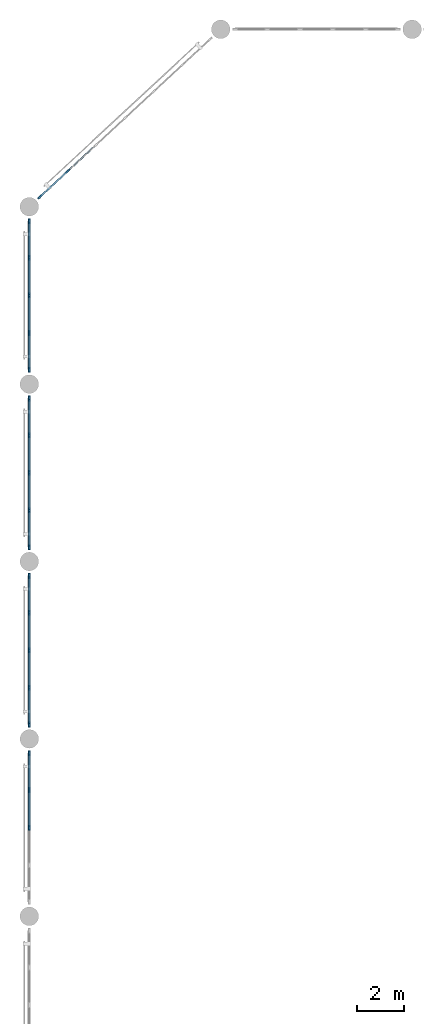
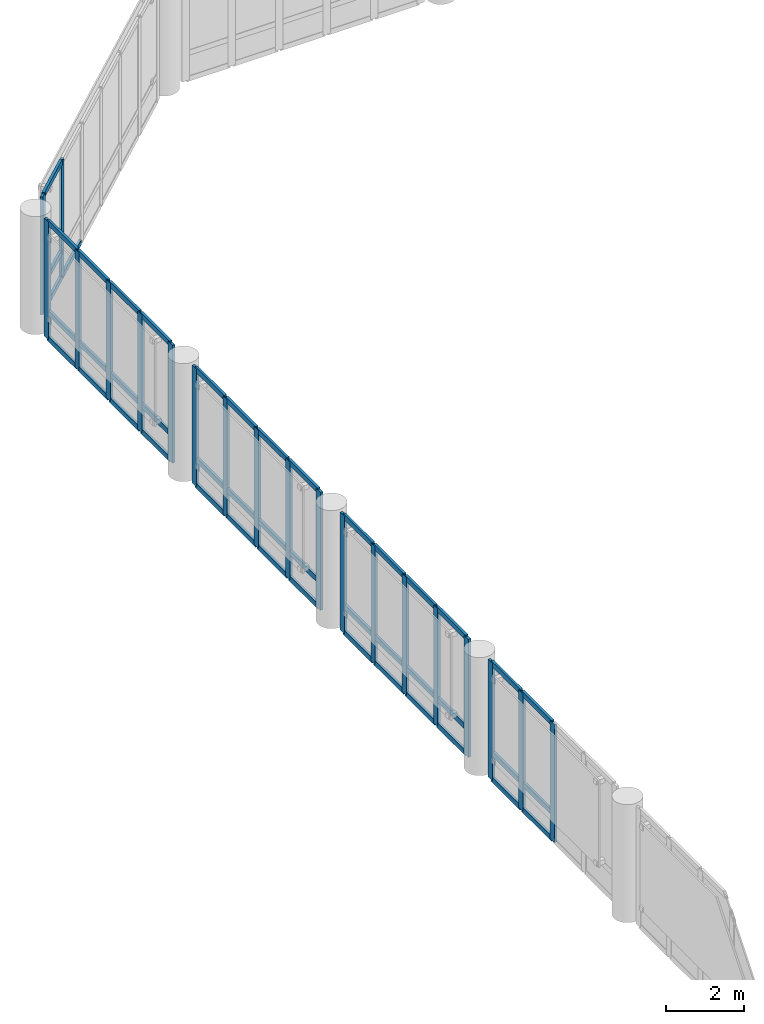
# One storey, part 15 of 49: 66 members, 5 elements without a shape of their own.
"""IFC4 building model written with IfcOpenShell, lengths in metres."""

import ifcopenshell
import ifcopenshell.guid

model = None  # the IFC model being written
_history = None  # IfcOwnerHistory: only IFC2X3 demands one
_inside = {}  # id of a spatial element -> (the spatial element, [elements in it])
_under = {}  # id of a project, library or spatial element -> (it, [spatial elements below it])
_declared = {}  # id of a project -> (the project, [libraries it declares])
_typed = {}  # id of a type object -> (the type object, [elements of that type])
_made_of = {}  # id of a material, layer set ... -> (it, [elements and type objects made of it])


def new_model(schema):
    """Start an empty IFC model of exactly this schema.

    Asked for "IFC4X3", IfcOpenShell would pick the latest addendum, in which some entities
    have other attributes; the version numbers below select the first issue.
    IFC2X3 requires an IfcOwnerHistory on every rooted entity: one is made here for all.
    """
    global model, _history
    if schema == "IFC4X3":
        model = ifcopenshell.file(schema_version=(4, 3, 0, 0))
    else:
        model = ifcopenshell.file(schema=schema)
    _inside.clear()
    _under.clear()
    _declared.clear()
    _typed.clear()
    _made_of.clear()
    _history = None
    if model.schema == "IFC2X3":
        org = make("IfcOrganization", Name="unknown")
        user = make(
            "IfcPersonAndOrganization",
            ThePerson=make("IfcPerson", FamilyName="unknown"),
            TheOrganization=org,
        )
        app = make(
            "IfcApplication",
            ApplicationDeveloper=org,
            Version="unknown",
            ApplicationFullName="unknown",
            ApplicationIdentifier="unknown",
        )
        _history = make(
            "IfcOwnerHistory",
            OwningUser=user,
            OwningApplication=app,
            ChangeAction="ADDED",
            CreationDate=0,
        )
    return model


def make(cls, **values):
    """One entity of the class cls with the attributes given. An attribute that is None is left unset."""
    return model.create_entity(
        cls, **{name: value for name, value in values.items() if value is not None}
    )


def rooted(cls, **values):
    """An entity with a GlobalId (a new one), such as an element, a storey or a relation."""
    return make(cls, GlobalId=ifcopenshell.guid.new(), OwnerHistory=_history, **values)


def si_unit(unit_type, name, prefix=None):
    """IfcSIUnit, for example si_unit("LENGTHUNIT", "METRE", prefix="MILLI")."""
    return make("IfcSIUnit", UnitType=unit_type, Prefix=prefix, Name=name)


def assignment(units):
    """IfcUnitAssignment: the units of a project."""
    return None if units is None else make("IfcUnitAssignment", Units=units)


def point(xyz):
    """IfcCartesianPoint."""
    return None if xyz is None else make("IfcCartesianPoint", Coordinates=xyz)


def direction(xyz):
    """IfcDirection."""
    return None if xyz is None else make("IfcDirection", DirectionRatios=xyz)


def frame(location, z_axis=None, x_axis=None):
    """IfcAxis2Placement3D, a coordinate frame: its origin and axes. An axis left out is left unset."""
    return make(
        "IfcAxis2Placement3D",
        Location=point(location),
        Axis=direction(z_axis),
        RefDirection=direction(x_axis),
    )


def frame_2d(location, x_axis=None):
    """IfcAxis2Placement2D, a coordinate frame in the plane: its origin and x axis."""
    return make(
        "IfcAxis2Placement2D", Location=point(location), RefDirection=direction(x_axis)
    )


def origin():
    """The frame at (0, 0, 0) with its axes left unset."""
    return frame((0.0, 0.0, 0.0))


def origin_2d():
    """The frame at (0, 0) in the plane with its x axis left unset."""
    return frame_2d((0.0, 0.0))


def place(relative_to, where):
    """IfcLocalPlacement: puts the frame where relative to a parent placement (None: the world)."""
    return make(
        "IfcLocalPlacement", PlacementRelTo=relative_to, RelativePlacement=where
    )


def context(
    kind, dimensions, precision=None, world=None, true_north=None, identifier=None
):
    """IfcGeometricRepresentationContext, for example the 3D "Model" context."""
    return make(
        "IfcGeometricRepresentationContext",
        ContextIdentifier=identifier,
        ContextType=kind,
        CoordinateSpaceDimension=dimensions,
        Precision=precision,
        WorldCoordinateSystem=world,
        TrueNorth=true_north,
    )


def subcontext(parent, identifier, kind, view, scale=None):
    """IfcGeometricRepresentationSubContext, for example "Body" below "Model"."""
    return make(
        "IfcGeometricRepresentationSubContext",
        ContextIdentifier=identifier,
        ContextType=kind,
        ParentContext=parent,
        TargetScale=scale,
        TargetView=view,
    )


def project(units=None, contexts=None):
    """IfcProject with its units and contexts."""
    return rooted(
        "IfcProject",
        Name="project",
        RepresentationContexts=contexts,
        UnitsInContext=assignment(units),
    )


def spatial(cls, under=None, at=None, **own):
    """A site, building, storey or space (cls), placed at a placement, below another one or the project."""
    s = rooted(cls, ObjectPlacement=at, **own)
    if under is not None:
        _under.setdefault(under.id(), (under, []))[1].append(s)
    return s


def profile(cls, at=None, kind="AREA", **sizes):
    """A parametric profile (cls). Its sizes go by their IFC names, for example OverallWidth=200.0."""
    return make(cls, ProfileType=kind, Position=at, **sizes)


def rectangle(**sizes):
    """IfcRectangleProfileDef."""
    return profile("IfcRectangleProfileDef", **sizes)


def extrude(swept, where, along, depth):
    """IfcExtrudedAreaSolid: the profile swept, set in the frame where, extruded along a direction by depth."""
    return make(
        "IfcExtrudedAreaSolid",
        SweptArea=swept,
        Position=where,
        ExtrudedDirection=direction(along),
        Depth=depth,
    )


def shape(context_of_items, identifier, shape_type, items):
    """IfcShapeRepresentation: the items that make up one representation, for example the "Body"."""
    return make(
        "IfcShapeRepresentation",
        ContextOfItems=context_of_items,
        RepresentationIdentifier=identifier,
        RepresentationType=shape_type,
        Items=items,
    )


def material(Name=None, Category=None):
    """IfcMaterial."""
    return make("IfcMaterial", Name=Name, Category=Category)


def material_profile(
    of_material, cross_section, Name=None, Category=None, Priority=None
):
    """IfcMaterialProfile: a cross section and its material."""
    return make(
        "IfcMaterialProfile",
        Name=Name,
        Material=of_material,
        Profile=cross_section,
        Priority=Priority,
        Category=Category,
    )


def profile_set(profiles, Name=None, composite=None):
    """IfcMaterialProfileSet."""
    return make(
        "IfcMaterialProfileSet",
        Name=Name,
        MaterialProfiles=profiles,
        CompositeProfile=composite,
    )


def made_of(thing, what):
    """Note that an element or type object is made of a material, layer set ...; save() writes the relation."""
    if what is not None:
        _made_of.setdefault(what.id(), (what, []))[1].append(thing)
    return thing


def type_object(cls, material=None, **own):
    """A type object (cls), such as IfcWallType, which elements share."""
    return made_of(rooted(cls, **own), material)


def element(
    cls,
    number,
    at=None,
    inside=None,
    cuts=None,
    type_object=None,
    material=None,
    context=None,
    identifier="Body",
    shape_type=None,
    held_by="IfcProductDefinitionShape",
    body=None,
    shapes=None,
    **own,
):
    """One element of the class cls, such as IfcWall. Its Tag is "e" and its number.

    at: its placement. inside: the storey or other place that contains it. cuts: it is an
    opening in that element (IfcRelVoidsElement). A single representation is given by context,
    identifier, shape_type and body (its items); several are given by shapes. held_by: the class
    of the entity that holds the representations. save() writes the other relations.
    """
    e = rooted(cls, Tag="e%d" % number, ObjectPlacement=at, **own)
    if body is not None:
        shapes = [shape(context, identifier, shape_type, body)]
    if shapes is not None:
        e.Representation = make(held_by, Representations=shapes)
    if inside is not None:
        _inside.setdefault(inside.id(), (inside, []))[1].append(e)
    if cuts is not None:
        rooted(
            "IfcRelVoidsElement", RelatingBuildingElement=cuts, RelatedOpeningElement=e
        )
    if type_object is not None:
        _typed.setdefault(type_object.id(), (type_object, []))[1].append(e)
    return made_of(e, material)


def aggregate(whole, parts):
    """IfcRelAggregates: a whole, such as a stair, and the parts it consists of."""
    return rooted("IfcRelAggregates", RelatingObject=whole, RelatedObjects=parts)


def save(model, path):
    """Write the relations noted so far, then the file.

    IfcRelAggregates (storeys below a building ...), IfcRelContainedInSpatialStructure (elements
    in a storey), IfcRelDefinesByType, IfcRelAssociatesMaterial and IfcRelDeclares: one each for
    every whole, place, type object, material and project.
    """
    for whole, parts in _under.values():
        aggregate(whole, parts)
    for where, things in _inside.values():
        rooted(
            "IfcRelContainedInSpatialStructure",
            RelatedElements=things,
            RelatingStructure=where,
        )
    for kind, things in _typed.values():
        rooted("IfcRelDefinesByType", RelatedObjects=things, RelatingType=kind)
    for what, things in _made_of.values():
        rooted("IfcRelAssociatesMaterial", RelatedObjects=things, RelatingMaterial=what)
    for by, libraries in _declared.values():
        rooted("IfcRelDeclares", RelatingContext=by, RelatedDefinitions=libraries)
    model.write(path)


model = new_model("IFC4")

# Units and contexts
model_context = context("Model", 3, precision=1e-05, world=origin(), true_north=direction((0.0, 1.0)))
body_context = subcontext(model_context, "Body", "Model", "MODEL_VIEW")
ifc_project = project(units=[si_unit("LENGTHUNIT", "METRE"), si_unit("AREAUNIT", "SQUARE_METRE"), si_unit("VOLUMEUNIT", "CUBIC_METRE"), si_unit("PLANEANGLEUNIT", "RADIAN"), si_unit("MASSUNIT", "GRAM", prefix="KILO")], contexts=[model_context])

# Site, building, storey
site_placement = place(None, origin())
site = spatial("IfcSite", under=ifc_project, at=site_placement, CompositionType="ELEMENT")
building_placement = place(site_placement, origin())
building = spatial("IfcBuilding", under=site, at=building_placement, Name="Qandaris Square Conservatory and Botanical Centre", CompositionType="ELEMENT")
storey_placement = place(building_placement, frame((0.0, 0.0, 10.199951171875)))
storey = spatial("IfcBuildingStorey", under=building, at=storey_placement, Name="L02", CompositionType="ELEMENT", Elevation=10.199951171875)

# Curtain wall, members
ifc_material = material(Name="Anodised Aluminium", Category="aluminium")
curtain_wall_type_1 = type_object("IfcCurtainWallType", Name="Unitised Curtain Wall CW-2-1002x370", PredefinedType="USERDEFINED", material=ifc_material)
curtain_wall_1_placement = place(storey_placement, origin())
curtain_wall_1 = element("IfcCurtainWall", 1, at=curtain_wall_1_placement, inside=storey, type_object=curtain_wall_type_1, Name="Curtain Wall CW-CON-L02-6-1", ObjectType="GLAZED CURTAIN WALL", PredefinedType="USERDEFINED")
ifc_material_profile_1 = material_profile(ifc_material, rectangle(XDim=0.074951171875, YDim=0.219970703125, at=origin_2d()), Name="ALU-MUL 75x220")
ifc_profile_set_1 = profile_set([ifc_material_profile_1], Name="Anodised Aluminium")
member_type_1 = type_object("IfcMemberType", Name="Conservatory Heavy Mullion 75x220", PredefinedType="MULLION", material=ifc_profile_set_1)
member_1_placement = place(storey_placement, frame((17.850341796875, 109.32958984375, 0.0), z_axis=(0.0, 0.0, 1.0), x_axis=(0.679761784592, -0.733432966404, 0.0)))
member_1 = element("IfcMember", 2, at=member_1_placement, type_object=member_type_1, Name="CW-2-1002x370 mullion 6", PredefinedType="MULLION", context=body_context, shape_type="SweptSolid", body=[
    extrude(rectangle(XDim=0.074951171875, YDim=0.219970703125, at=origin_2d()), origin(), (0.0, 0.0, 1.0), 3.699951171875),
])
member_2_placement = place(storey_placement, frame((16.65283203125, 108.2197265625, 0.0), z_axis=(0.0, 0.0, 1.0), x_axis=(0.679761784592, -0.733432966404, 0.0)))
member_2 = element("IfcMember", 3, at=member_2_placement, type_object=member_type_1, Name="CW-2-1002x370 mullion 7", PredefinedType="MULLION", context=body_context, shape_type="SweptSolid", body=[
    extrude(rectangle(XDim=0.074951171875, YDim=0.219970703125, at=origin_2d()), origin(), (0.0, 0.0, 1.0), 3.699951171875),
])

curtain_wall_type_2 = type_object("IfcCurtainWallType", Name="Unitised Curtain Wall CW-2-644x370", PredefinedType="USERDEFINED", material=ifc_material)
curtain_wall_2_placement = place(storey_placement, origin())
curtain_wall_2 = element("IfcCurtainWall", 4, at=curtain_wall_2_placement, inside=storey, type_object=curtain_wall_type_2, Name="Curtain Wall CW-CON-L02-7-1", ObjectType="GLAZED CURTAIN WALL", PredefinedType="USERDEFINED")
member_3_placement = place(storey_placement, frame((16.199951171875, 107.1826171875, 0.0), z_axis=(0.0, 0.0, 1.0), x_axis=(1.0, 0.0, 0.0)))
member_3 = element("IfcMember", 5, at=member_3_placement, type_object=member_type_1, Name="CW-2-644x370 mullion 1", PredefinedType="MULLION", context=body_context, shape_type="SweptSolid", body=[
    extrude(rectangle(XDim=0.074951171875, YDim=0.219970703125, at=origin_2d()), origin(), (0.0, 0.0, 1.0), 3.699951171875),
])
member_4_placement = place(storey_placement, frame((16.199951171875, 105.610107421875, 0.0), z_axis=(0.0, 0.0, 1.0), x_axis=(1.0, 0.0, 0.0)))
member_4 = element("IfcMember", 6, at=member_4_placement, type_object=member_type_1, Name="CW-2-644x370 mullion 2", PredefinedType="MULLION", context=body_context, shape_type="SweptSolid", body=[
    extrude(rectangle(XDim=0.074951171875, YDim=0.219970703125, at=origin_2d()), origin(), (0.0, 0.0, 1.0), 3.699951171875),
])
member_5_placement = place(storey_placement, frame((16.199951171875, 104.0, 0.0), z_axis=(0.0, 0.0, 1.0), x_axis=(1.0, 0.0, 0.0)))
member_5 = element("IfcMember", 7, at=member_5_placement, type_object=member_type_1, Name="CW-2-644x370 mullion 3", PredefinedType="MULLION", context=body_context, shape_type="SweptSolid", body=[
    extrude(rectangle(XDim=0.074951171875, YDim=0.219970703125, at=origin_2d()), origin(), (0.0, 0.0, 1.0), 3.699951171875),
])
member_6_placement = place(storey_placement, frame((16.199951171875, 102.389892578125, 0.0), z_axis=(0.0, 0.0, 1.0), x_axis=(1.0, 0.0, 0.0)))
member_6 = element("IfcMember", 8, at=member_6_placement, type_object=member_type_1, Name="CW-2-644x370 mullion 4", PredefinedType="MULLION", context=body_context, shape_type="SweptSolid", body=[
    extrude(rectangle(XDim=0.074951171875, YDim=0.219970703125, at=origin_2d()), origin(), (0.0, 0.0, 1.0), 3.699951171875),
])
member_7_placement = place(storey_placement, frame((16.199951171875, 100.8173828125, 0.0), z_axis=(0.0, 0.0, 1.0), x_axis=(1.0, 0.0, 0.0)))
member_7 = element("IfcMember", 9, at=member_7_placement, type_object=member_type_1, Name="CW-2-644x370 mullion 5", PredefinedType="MULLION", context=body_context, shape_type="SweptSolid", body=[
    extrude(rectangle(XDim=0.074951171875, YDim=0.219970703125, at=origin_2d()), origin(), (0.0, 0.0, 1.0), 3.699951171875),
])

curtain_wall_3_placement = place(storey_placement, origin())
curtain_wall_3 = element("IfcCurtainWall", 10, at=curtain_wall_3_placement, inside=storey, type_object=curtain_wall_type_2, Name="Curtain Wall CW-CON-L02-7-2", ObjectType="GLAZED CURTAIN WALL", PredefinedType="USERDEFINED")
member_8_placement = place(storey_placement, frame((16.199951171875, 99.58251953125, 0.0), z_axis=(0.0, 0.0, 1.0), x_axis=(1.0, 0.0, 0.0)))
member_8 = element("IfcMember", 11, at=member_8_placement, type_object=member_type_1, Name="CW-2-644x370 mullion 1", PredefinedType="MULLION", context=body_context, shape_type="SweptSolid", body=[
    extrude(rectangle(XDim=0.074951171875, YDim=0.219970703125, at=origin_2d()), origin(), (0.0, 0.0, 1.0), 3.699951171875),
])
member_9_placement = place(storey_placement, frame((16.199951171875, 98.010009765625, 0.0), z_axis=(0.0, 0.0, 1.0), x_axis=(1.0, 0.0, 0.0)))
member_9 = element("IfcMember", 12, at=member_9_placement, type_object=member_type_1, Name="CW-2-644x370 mullion 2", PredefinedType="MULLION", context=body_context, shape_type="SweptSolid", body=[
    extrude(rectangle(XDim=0.074951171875, YDim=0.219970703125, at=origin_2d()), origin(), (0.0, 0.0, 1.0), 3.699951171875),
])
member_10_placement = place(storey_placement, frame((16.199951171875, 96.39990234375, 0.0), z_axis=(0.0, 0.0, 1.0), x_axis=(1.0, 0.0, 0.0)))
member_10 = element("IfcMember", 13, at=member_10_placement, type_object=member_type_1, Name="CW-2-644x370 mullion 3", PredefinedType="MULLION", context=body_context, shape_type="SweptSolid", body=[
    extrude(rectangle(XDim=0.074951171875, YDim=0.219970703125, at=origin_2d()), origin(), (0.0, 0.0, 1.0), 3.699951171875),
])
member_11_placement = place(storey_placement, frame((16.199951171875, 94.7900390625, 0.0), z_axis=(0.0, 0.0, 1.0), x_axis=(1.0, 0.0, 0.0)))
member_11 = element("IfcMember", 14, at=member_11_placement, type_object=member_type_1, Name="CW-2-644x370 mullion 4", PredefinedType="MULLION", context=body_context, shape_type="SweptSolid", body=[
    extrude(rectangle(XDim=0.074951171875, YDim=0.219970703125, at=origin_2d()), origin(), (0.0, 0.0, 1.0), 3.699951171875),
])
member_12_placement = place(storey_placement, frame((16.199951171875, 93.217529296875, 0.0), z_axis=(0.0, 0.0, 1.0), x_axis=(1.0, 0.0, 0.0)))
member_12 = element("IfcMember", 15, at=member_12_placement, type_object=member_type_1, Name="CW-2-644x370 mullion 5", PredefinedType="MULLION", context=body_context, shape_type="SweptSolid", body=[
    extrude(rectangle(XDim=0.074951171875, YDim=0.219970703125, at=origin_2d()), origin(), (0.0, 0.0, 1.0), 3.699951171875),
])

curtain_wall_4_placement = place(storey_placement, origin())
curtain_wall_4 = element("IfcCurtainWall", 16, at=curtain_wall_4_placement, inside=storey, type_object=curtain_wall_type_2, Name="Curtain Wall CW-CON-L02-7-3", ObjectType="GLAZED CURTAIN WALL", PredefinedType="USERDEFINED")
member_13_placement = place(storey_placement, frame((16.199951171875, 91.982421875, 0.0), z_axis=(0.0, 0.0, 1.0), x_axis=(1.0, 0.0, 0.0)))
member_13 = element("IfcMember", 17, at=member_13_placement, type_object=member_type_1, Name="CW-2-644x370 mullion 1", PredefinedType="MULLION", context=body_context, shape_type="SweptSolid", body=[
    extrude(rectangle(XDim=0.074951171875, YDim=0.219970703125, at=origin_2d()), origin(), (0.0, 0.0, 1.0), 3.699951171875),
])
member_14_placement = place(storey_placement, frame((16.199951171875, 90.409912109375, 0.0), z_axis=(0.0, 0.0, 1.0), x_axis=(1.0, 0.0, 0.0)))
member_14 = element("IfcMember", 18, at=member_14_placement, type_object=member_type_1, Name="CW-2-644x370 mullion 2", PredefinedType="MULLION", context=body_context, shape_type="SweptSolid", body=[
    extrude(rectangle(XDim=0.074951171875, YDim=0.219970703125, at=origin_2d()), origin(), (0.0, 0.0, 1.0), 3.699951171875),
])
member_15_placement = place(storey_placement, frame((16.199951171875, 88.800048828125, 0.0), z_axis=(0.0, 0.0, 1.0), x_axis=(1.0, 0.0, 0.0)))
member_15 = element("IfcMember", 19, at=member_15_placement, type_object=member_type_1, Name="CW-2-644x370 mullion 3", PredefinedType="MULLION", context=body_context, shape_type="SweptSolid", body=[
    extrude(rectangle(XDim=0.074951171875, YDim=0.219970703125, at=origin_2d()), origin(), (0.0, 0.0, 1.0), 3.699951171875),
])
member_16_placement = place(storey_placement, frame((16.199951171875, 87.18994140625, 0.0), z_axis=(0.0, 0.0, 1.0), x_axis=(1.0, 0.0, 0.0)))
member_16 = element("IfcMember", 20, at=member_16_placement, type_object=member_type_1, Name="CW-2-644x370 mullion 4", PredefinedType="MULLION", context=body_context, shape_type="SweptSolid", body=[
    extrude(rectangle(XDim=0.074951171875, YDim=0.219970703125, at=origin_2d()), origin(), (0.0, 0.0, 1.0), 3.699951171875),
])
member_17_placement = place(storey_placement, frame((16.199951171875, 85.617431640625, 0.0), z_axis=(0.0, 0.0, 1.0), x_axis=(1.0, 0.0, 0.0)))
member_17 = element("IfcMember", 21, at=member_17_placement, type_object=member_type_1, Name="CW-2-644x370 mullion 5", PredefinedType="MULLION", context=body_context, shape_type="SweptSolid", body=[
    extrude(rectangle(XDim=0.074951171875, YDim=0.219970703125, at=origin_2d()), origin(), (0.0, 0.0, 1.0), 3.699951171875),
])

curtain_wall_5_placement = place(storey_placement, origin())
curtain_wall_5 = element("IfcCurtainWall", 22, at=curtain_wall_5_placement, inside=storey, type_object=curtain_wall_type_2, Name="Curtain Wall CW-CON-L02-7-4", ObjectType="GLAZED CURTAIN WALL", PredefinedType="USERDEFINED")
member_18_placement = place(storey_placement, frame((16.199951171875, 84.382568359375, 0.0), z_axis=(0.0, 0.0, 1.0), x_axis=(1.0, 0.0, 0.0)))
member_18 = element("IfcMember", 23, at=member_18_placement, type_object=member_type_1, Name="CW-2-644x370 mullion 1", PredefinedType="MULLION", context=body_context, shape_type="SweptSolid", body=[
    extrude(rectangle(XDim=0.074951171875, YDim=0.219970703125, at=origin_2d()), origin(), (0.0, 0.0, 1.0), 3.699951171875),
])
member_19_placement = place(storey_placement, frame((16.199951171875, 82.81005859375, 0.0), z_axis=(0.0, 0.0, 1.0), x_axis=(1.0, 0.0, 0.0)))
member_19 = element("IfcMember", 24, at=member_19_placement, type_object=member_type_1, Name="CW-2-644x370 mullion 2", PredefinedType="MULLION", context=body_context, shape_type="SweptSolid", body=[
    extrude(rectangle(XDim=0.074951171875, YDim=0.219970703125, at=origin_2d()), origin(), (0.0, 0.0, 1.0), 3.699951171875),
])
member_20_placement = place(storey_placement, frame((16.199951171875, 81.199951171875, 0.0), z_axis=(0.0, 0.0, 1.0), x_axis=(1.0, 0.0, 0.0)))
member_20 = element("IfcMember", 25, at=member_20_placement, type_object=member_type_1, Name="CW-2-644x370 mullion 3", PredefinedType="MULLION", context=body_context, shape_type="SweptSolid", body=[
    extrude(rectangle(XDim=0.074951171875, YDim=0.219970703125, at=origin_2d()), origin(), (0.0, 0.0, 1.0), 3.699951171875),
])

# Member
ifc_material_profile_2 = material_profile(ifc_material, rectangle(XDim=0.074951171875, YDim=0.159912109375, at=origin_2d()), Name="ALU-TRN 75x160")
ifc_profile_set_2 = profile_set([ifc_material_profile_2], Name="Anodised Aluminium")
member_type_2 = type_object("IfcMemberType", Name="Conservatory Heavy Transom 75x160", PredefinedType="USERDEFINED", material=ifc_profile_set_2)
member_21_placement = place(storey_placement, frame((19.047607421875, 110.439208984375, 0.03759765625), z_axis=(-0.733458213943, -0.679734542597, 0.0), x_axis=(0.679734542597, -0.733458213943, 0.0)))
member_21 = element("IfcMember", 26, at=member_21_placement, type_object=member_type_2, Name="CW-2-1002x370 transom 5.1", ObjectType="TRANSOM", PredefinedType="USERDEFINED", context=body_context, shape_type="SweptSolid", body=[
    extrude(rectangle(XDim=0.074951171875, YDim=0.159912109375, at=origin_2d()), origin(), (0.0, 0.0, 1.0), 1.594970703125),
])

member_22_placement = place(storey_placement, frame((17.82275390625, 109.303955078125, 0.03759765625), z_axis=(-0.7334798559, -0.679711189395, 0.0), x_axis=(0.679711189395, -0.7334798559, 0.0)))
member_22 = element("IfcMember", 27, at=member_22_placement, type_object=member_type_2, Name="CW-2-1002x370 transom 6.1", ObjectType="TRANSOM", PredefinedType="USERDEFINED", context=body_context, shape_type="SweptSolid", body=[
    extrude(rectangle(XDim=0.074951171875, YDim=0.159912109375, at=origin_2d()), origin(), (0.0, 0.0, 1.0), 1.557373046875),
])

member_23_placement = place(storey_placement, frame((17.82275390625, 109.303955078125, 0.85009765625), z_axis=(-0.7334798559, -0.679711189395, 0.0), x_axis=(0.679711189395, -0.7334798559, 0.0)))
member_23 = element("IfcMember", 28, at=member_23_placement, type_object=member_type_2, Name="CW-2-1002x370 transom 6.2", ObjectType="TRANSOM", PredefinedType="USERDEFINED", context=body_context, shape_type="SweptSolid", body=[
    extrude(rectangle(XDim=0.074951171875, YDim=0.159912109375, at=origin_2d()), origin(), (0.0, 0.0, 1.0), 1.557373046875),
])

member_24_placement = place(storey_placement, frame((17.82275390625, 109.303955078125, 3.66259765625), z_axis=(-0.7334798559, -0.679711189395, 0.0), x_axis=(0.679711189395, -0.7334798559, 0.0)))
member_24 = element("IfcMember", 29, at=member_24_placement, type_object=member_type_2, Name="CW-2-1002x370 transom 6.3", ObjectType="TRANSOM", PredefinedType="USERDEFINED", context=body_context, shape_type="SweptSolid", body=[
    extrude(rectangle(XDim=0.074951171875, YDim=0.159912109375, at=origin_2d()), origin(), (0.0, 0.0, 1.0), 1.557373046875),
])

aggregate(curtain_wall_1, [member_1, member_2, member_21, member_22, member_23, member_24])

member_25_placement = place(storey_placement, frame((16.199951171875, 107.14501953125, 0.03759765625), z_axis=(0.0, -1.0, 0.0), x_axis=(1.0, 0.0, 0.0)))
member_25 = element("IfcMember", 30, at=member_25_placement, type_object=member_type_2, Name="CW-2-644x370 transom 1.1", ObjectType="TRANSOM", PredefinedType="USERDEFINED", context=body_context, shape_type="SweptSolid", body=[
    extrude(rectangle(XDim=0.074951171875, YDim=0.159912109375, at=origin_2d()), origin(), (0.0, 0.0, 1.0), 1.49755859375),
])

member_26_placement = place(storey_placement, frame((16.199951171875, 107.14501953125, 0.85009765625), z_axis=(0.0, -1.0, 0.0), x_axis=(1.0, 0.0, 0.0)))
member_26 = element("IfcMember", 31, at=member_26_placement, type_object=member_type_2, Name="CW-2-644x370 transom 1.2", ObjectType="TRANSOM", PredefinedType="USERDEFINED", context=body_context, shape_type="SweptSolid", body=[
    extrude(rectangle(XDim=0.074951171875, YDim=0.159912109375, at=origin_2d()), origin(), (0.0, 0.0, 1.0), 1.49755859375),
])

member_27_placement = place(storey_placement, frame((16.199951171875, 107.14501953125, 3.66259765625), z_axis=(0.0, -1.0, 0.0), x_axis=(1.0, 0.0, 0.0)))
member_27 = element("IfcMember", 32, at=member_27_placement, type_object=member_type_2, Name="CW-2-644x370 transom 1.3", ObjectType="TRANSOM", PredefinedType="USERDEFINED", context=body_context, shape_type="SweptSolid", body=[
    extrude(rectangle(XDim=0.074951171875, YDim=0.159912109375, at=origin_2d()), origin(), (0.0, 0.0, 1.0), 1.49755859375),
])

member_28_placement = place(storey_placement, frame((16.199951171875, 105.572509765625, 0.03759765625), z_axis=(0.0, -1.0, 0.0), x_axis=(1.0, 0.0, 0.0)))
member_28 = element("IfcMember", 33, at=member_28_placement, type_object=member_type_2, Name="CW-2-644x370 transom 2.1", ObjectType="TRANSOM", PredefinedType="USERDEFINED", context=body_context, shape_type="SweptSolid", body=[
    extrude(rectangle(XDim=0.074951171875, YDim=0.159912109375, at=origin_2d()), origin(), (0.0, 0.0, 1.0), 1.534912109375),
])

member_29_placement = place(storey_placement, frame((16.199951171875, 105.572509765625, 0.85009765625), z_axis=(0.0, -1.0, 0.0), x_axis=(1.0, 0.0, 0.0)))
member_29 = element("IfcMember", 34, at=member_29_placement, type_object=member_type_2, Name="CW-2-644x370 transom 2.2", ObjectType="TRANSOM", PredefinedType="USERDEFINED", context=body_context, shape_type="SweptSolid", body=[
    extrude(rectangle(XDim=0.074951171875, YDim=0.159912109375, at=origin_2d()), origin(), (0.0, 0.0, 1.0), 1.534912109375),
])

member_30_placement = place(storey_placement, frame((16.199951171875, 105.572509765625, 3.66259765625), z_axis=(0.0, -1.0, 0.0), x_axis=(1.0, 0.0, 0.0)))
member_30 = element("IfcMember", 35, at=member_30_placement, type_object=member_type_2, Name="CW-2-644x370 transom 2.3", ObjectType="TRANSOM", PredefinedType="USERDEFINED", context=body_context, shape_type="SweptSolid", body=[
    extrude(rectangle(XDim=0.074951171875, YDim=0.159912109375, at=origin_2d()), origin(), (0.0, 0.0, 1.0), 1.534912109375),
])

member_31_placement = place(storey_placement, frame((16.199951171875, 103.96240234375, 0.03759765625), z_axis=(0.0, -1.0, 0.0), x_axis=(1.0, 0.0, 0.0)))
member_31 = element("IfcMember", 36, at=member_31_placement, type_object=member_type_2, Name="CW-2-644x370 transom 3.1", ObjectType="TRANSOM", PredefinedType="USERDEFINED", context=body_context, shape_type="SweptSolid", body=[
    extrude(rectangle(XDim=0.074951171875, YDim=0.159912109375, at=origin_2d()), origin(), (0.0, 0.0, 1.0), 1.534912109375),
])

member_32_placement = place(storey_placement, frame((16.199951171875, 103.96240234375, 0.85009765625), z_axis=(0.0, -1.0, 0.0), x_axis=(1.0, 0.0, 0.0)))
member_32 = element("IfcMember", 37, at=member_32_placement, type_object=member_type_2, Name="CW-2-644x370 transom 3.2", ObjectType="TRANSOM", PredefinedType="USERDEFINED", context=body_context, shape_type="SweptSolid", body=[
    extrude(rectangle(XDim=0.074951171875, YDim=0.159912109375, at=origin_2d()), origin(), (0.0, 0.0, 1.0), 1.534912109375),
])

member_33_placement = place(storey_placement, frame((16.199951171875, 103.96240234375, 3.66259765625), z_axis=(0.0, -1.0, 0.0), x_axis=(1.0, 0.0, 0.0)))
member_33 = element("IfcMember", 38, at=member_33_placement, type_object=member_type_2, Name="CW-2-644x370 transom 3.3", ObjectType="TRANSOM", PredefinedType="USERDEFINED", context=body_context, shape_type="SweptSolid", body=[
    extrude(rectangle(XDim=0.074951171875, YDim=0.159912109375, at=origin_2d()), origin(), (0.0, 0.0, 1.0), 1.534912109375),
])

member_34_placement = place(storey_placement, frame((16.199951171875, 102.3525390625, 0.03759765625), z_axis=(0.0, -1.0, 0.0), x_axis=(1.0, 0.0, 0.0)))
member_34 = element("IfcMember", 39, at=member_34_placement, type_object=member_type_2, Name="CW-2-644x370 transom 4.1", ObjectType="TRANSOM", PredefinedType="USERDEFINED", context=body_context, shape_type="SweptSolid", body=[
    extrude(rectangle(XDim=0.074951171875, YDim=0.159912109375, at=origin_2d()), origin(), (0.0, 0.0, 1.0), 1.49755859375),
])

member_35_placement = place(storey_placement, frame((16.199951171875, 102.3525390625, 0.85009765625), z_axis=(0.0, -1.0, 0.0), x_axis=(1.0, 0.0, 0.0)))
member_35 = element("IfcMember", 40, at=member_35_placement, type_object=member_type_2, Name="CW-2-644x370 transom 4.2", ObjectType="TRANSOM", PredefinedType="USERDEFINED", context=body_context, shape_type="SweptSolid", body=[
    extrude(rectangle(XDim=0.074951171875, YDim=0.159912109375, at=origin_2d()), origin(), (0.0, 0.0, 1.0), 1.49755859375),
])

member_36_placement = place(storey_placement, frame((16.199951171875, 102.3525390625, 3.66259765625), z_axis=(0.0, -1.0, 0.0), x_axis=(1.0, 0.0, 0.0)))
member_36 = element("IfcMember", 41, at=member_36_placement, type_object=member_type_2, Name="CW-2-644x370 transom 4.3", ObjectType="TRANSOM", PredefinedType="USERDEFINED", context=body_context, shape_type="SweptSolid", body=[
    extrude(rectangle(XDim=0.074951171875, YDim=0.159912109375, at=origin_2d()), origin(), (0.0, 0.0, 1.0), 1.49755859375),
])

aggregate(curtain_wall_2, [member_3, member_4, member_5, member_6, member_7, member_25, member_26, member_27, member_28, member_29, member_30, member_31, member_32, member_33, member_34, member_35, member_36])

member_37_placement = place(storey_placement, frame((16.199951171875, 99.544921875, 0.03759765625), z_axis=(0.0, -1.0, 0.0), x_axis=(1.0, 0.0, 0.0)))
member_37 = element("IfcMember", 42, at=member_37_placement, type_object=member_type_2, Name="CW-2-644x370 transom 1.1", ObjectType="TRANSOM", PredefinedType="USERDEFINED", context=body_context, shape_type="SweptSolid", body=[
    extrude(rectangle(XDim=0.074951171875, YDim=0.159912109375, at=origin_2d()), origin(), (0.0, 0.0, 1.0), 1.497314453125),
])

member_38_placement = place(storey_placement, frame((16.199951171875, 99.544921875, 0.85009765625), z_axis=(0.0, -1.0, 0.0), x_axis=(1.0, 0.0, 0.0)))
member_38 = element("IfcMember", 43, at=member_38_placement, type_object=member_type_2, Name="CW-2-644x370 transom 1.2", ObjectType="TRANSOM", PredefinedType="USERDEFINED", context=body_context, shape_type="SweptSolid", body=[
    extrude(rectangle(XDim=0.074951171875, YDim=0.159912109375, at=origin_2d()), origin(), (0.0, 0.0, 1.0), 1.497314453125),
])

member_39_placement = place(storey_placement, frame((16.199951171875, 99.544921875, 3.66259765625), z_axis=(0.0, -1.0, 0.0), x_axis=(1.0, 0.0, 0.0)))
member_39 = element("IfcMember", 44, at=member_39_placement, type_object=member_type_2, Name="CW-2-644x370 transom 1.3", ObjectType="TRANSOM", PredefinedType="USERDEFINED", context=body_context, shape_type="SweptSolid", body=[
    extrude(rectangle(XDim=0.074951171875, YDim=0.159912109375, at=origin_2d()), origin(), (0.0, 0.0, 1.0), 1.497314453125),
])

member_40_placement = place(storey_placement, frame((16.199951171875, 97.972412109375, 0.03759765625), z_axis=(0.0, -1.0, 0.0), x_axis=(1.0, 0.0, 0.0)))
member_40 = element("IfcMember", 45, at=member_40_placement, type_object=member_type_2, Name="CW-2-644x370 transom 2.1", ObjectType="TRANSOM", PredefinedType="USERDEFINED", context=body_context, shape_type="SweptSolid", body=[
    extrude(rectangle(XDim=0.074951171875, YDim=0.159912109375, at=origin_2d()), origin(), (0.0, 0.0, 1.0), 1.534912109375),
])

member_41_placement = place(storey_placement, frame((16.199951171875, 97.972412109375, 0.85009765625), z_axis=(0.0, -1.0, 0.0), x_axis=(1.0, 0.0, 0.0)))
member_41 = element("IfcMember", 46, at=member_41_placement, type_object=member_type_2, Name="CW-2-644x370 transom 2.2", ObjectType="TRANSOM", PredefinedType="USERDEFINED", context=body_context, shape_type="SweptSolid", body=[
    extrude(rectangle(XDim=0.074951171875, YDim=0.159912109375, at=origin_2d()), origin(), (0.0, 0.0, 1.0), 1.534912109375),
])

member_42_placement = place(storey_placement, frame((16.199951171875, 97.972412109375, 3.66259765625), z_axis=(0.0, -1.0, 0.0), x_axis=(1.0, 0.0, 0.0)))
member_42 = element("IfcMember", 47, at=member_42_placement, type_object=member_type_2, Name="CW-2-644x370 transom 2.3", ObjectType="TRANSOM", PredefinedType="USERDEFINED", context=body_context, shape_type="SweptSolid", body=[
    extrude(rectangle(XDim=0.074951171875, YDim=0.159912109375, at=origin_2d()), origin(), (0.0, 0.0, 1.0), 1.534912109375),
])

member_43_placement = place(storey_placement, frame((16.199951171875, 96.362548828125, 0.03759765625), z_axis=(0.0, -1.0, 0.0), x_axis=(1.0, 0.0, 0.0)))
member_43 = element("IfcMember", 48, at=member_43_placement, type_object=member_type_2, Name="CW-2-644x370 transom 3.1", ObjectType="TRANSOM", PredefinedType="USERDEFINED", context=body_context, shape_type="SweptSolid", body=[
    extrude(rectangle(XDim=0.074951171875, YDim=0.159912109375, at=origin_2d()), origin(), (0.0, 0.0, 1.0), 1.53515625),
])

member_44_placement = place(storey_placement, frame((16.199951171875, 96.362548828125, 0.85009765625), z_axis=(0.0, -1.0, 0.0), x_axis=(1.0, 0.0, 0.0)))
member_44 = element("IfcMember", 49, at=member_44_placement, type_object=member_type_2, Name="CW-2-644x370 transom 3.2", ObjectType="TRANSOM", PredefinedType="USERDEFINED", context=body_context, shape_type="SweptSolid", body=[
    extrude(rectangle(XDim=0.074951171875, YDim=0.159912109375, at=origin_2d()), origin(), (0.0, 0.0, 1.0), 1.53515625),
])

member_45_placement = place(storey_placement, frame((16.199951171875, 96.362548828125, 3.66259765625), z_axis=(0.0, -1.0, 0.0), x_axis=(1.0, 0.0, 0.0)))
member_45 = element("IfcMember", 50, at=member_45_placement, type_object=member_type_2, Name="CW-2-644x370 transom 3.3", ObjectType="TRANSOM", PredefinedType="USERDEFINED", context=body_context, shape_type="SweptSolid", body=[
    extrude(rectangle(XDim=0.074951171875, YDim=0.159912109375, at=origin_2d()), origin(), (0.0, 0.0, 1.0), 1.53515625),
])

member_46_placement = place(storey_placement, frame((16.199951171875, 94.75244140625, 0.03759765625), z_axis=(0.0, -1.0, 0.0), x_axis=(1.0, 0.0, 0.0)))
member_46 = element("IfcMember", 51, at=member_46_placement, type_object=member_type_2, Name="CW-2-644x370 transom 4.1", ObjectType="TRANSOM", PredefinedType="USERDEFINED", context=body_context, shape_type="SweptSolid", body=[
    extrude(rectangle(XDim=0.074951171875, YDim=0.159912109375, at=origin_2d()), origin(), (0.0, 0.0, 1.0), 1.49755859375),
])

member_47_placement = place(storey_placement, frame((16.199951171875, 94.75244140625, 0.85009765625), z_axis=(0.0, -1.0, 0.0), x_axis=(1.0, 0.0, 0.0)))
member_47 = element("IfcMember", 52, at=member_47_placement, type_object=member_type_2, Name="CW-2-644x370 transom 4.2", ObjectType="TRANSOM", PredefinedType="USERDEFINED", context=body_context, shape_type="SweptSolid", body=[
    extrude(rectangle(XDim=0.074951171875, YDim=0.159912109375, at=origin_2d()), origin(), (0.0, 0.0, 1.0), 1.49755859375),
])

member_48_placement = place(storey_placement, frame((16.199951171875, 94.75244140625, 3.66259765625), z_axis=(0.0, -1.0, 0.0), x_axis=(1.0, 0.0, 0.0)))
member_48 = element("IfcMember", 53, at=member_48_placement, type_object=member_type_2, Name="CW-2-644x370 transom 4.3", ObjectType="TRANSOM", PredefinedType="USERDEFINED", context=body_context, shape_type="SweptSolid", body=[
    extrude(rectangle(XDim=0.074951171875, YDim=0.159912109375, at=origin_2d()), origin(), (0.0, 0.0, 1.0), 1.49755859375),
])

aggregate(curtain_wall_3, [member_8, member_9, member_10, member_11, member_12, member_37, member_38, member_39, member_40, member_41, member_42, member_43, member_44, member_45, member_46, member_47, member_48])

member_49_placement = place(storey_placement, frame((16.199951171875, 91.945068359375, 0.03759765625), z_axis=(0.0, -1.0, 0.0), x_axis=(1.0, 0.0, 0.0)))
member_49 = element("IfcMember", 54, at=member_49_placement, type_object=member_type_2, Name="CW-2-644x370 transom 1.1", ObjectType="TRANSOM", PredefinedType="USERDEFINED", context=body_context, shape_type="SweptSolid", body=[
    extrude(rectangle(XDim=0.074951171875, YDim=0.159912109375, at=origin_2d()), origin(), (0.0, 0.0, 1.0), 1.49755859375),
])

member_50_placement = place(storey_placement, frame((16.199951171875, 91.945068359375, 0.85009765625), z_axis=(0.0, -1.0, 0.0), x_axis=(1.0, 0.0, 0.0)))
member_50 = element("IfcMember", 55, at=member_50_placement, type_object=member_type_2, Name="CW-2-644x370 transom 1.2", ObjectType="TRANSOM", PredefinedType="USERDEFINED", context=body_context, shape_type="SweptSolid", body=[
    extrude(rectangle(XDim=0.074951171875, YDim=0.159912109375, at=origin_2d()), origin(), (0.0, 0.0, 1.0), 1.49755859375),
])

member_51_placement = place(storey_placement, frame((16.199951171875, 91.945068359375, 3.66259765625), z_axis=(0.0, -1.0, 0.0), x_axis=(1.0, 0.0, 0.0)))
member_51 = element("IfcMember", 56, at=member_51_placement, type_object=member_type_2, Name="CW-2-644x370 transom 1.3", ObjectType="TRANSOM", PredefinedType="USERDEFINED", context=body_context, shape_type="SweptSolid", body=[
    extrude(rectangle(XDim=0.074951171875, YDim=0.159912109375, at=origin_2d()), origin(), (0.0, 0.0, 1.0), 1.49755859375),
])

member_52_placement = place(storey_placement, frame((16.199951171875, 90.37255859375, 0.03759765625), z_axis=(0.0, -1.0, 0.0), x_axis=(1.0, 0.0, 0.0)))
member_52 = element("IfcMember", 57, at=member_52_placement, type_object=member_type_2, Name="CW-2-644x370 transom 2.1", ObjectType="TRANSOM", PredefinedType="USERDEFINED", context=body_context, shape_type="SweptSolid", body=[
    extrude(rectangle(XDim=0.074951171875, YDim=0.159912109375, at=origin_2d()), origin(), (0.0, 0.0, 1.0), 1.53515625),
])

member_53_placement = place(storey_placement, frame((16.199951171875, 90.37255859375, 0.85009765625), z_axis=(0.0, -1.0, 0.0), x_axis=(1.0, 0.0, 0.0)))
member_53 = element("IfcMember", 58, at=member_53_placement, type_object=member_type_2, Name="CW-2-644x370 transom 2.2", ObjectType="TRANSOM", PredefinedType="USERDEFINED", context=body_context, shape_type="SweptSolid", body=[
    extrude(rectangle(XDim=0.074951171875, YDim=0.159912109375, at=origin_2d()), origin(), (0.0, 0.0, 1.0), 1.53515625),
])

member_54_placement = place(storey_placement, frame((16.199951171875, 90.37255859375, 3.66259765625), z_axis=(0.0, -1.0, 0.0), x_axis=(1.0, 0.0, 0.0)))
member_54 = element("IfcMember", 59, at=member_54_placement, type_object=member_type_2, Name="CW-2-644x370 transom 2.3", ObjectType="TRANSOM", PredefinedType="USERDEFINED", context=body_context, shape_type="SweptSolid", body=[
    extrude(rectangle(XDim=0.074951171875, YDim=0.159912109375, at=origin_2d()), origin(), (0.0, 0.0, 1.0), 1.53515625),
])

member_55_placement = place(storey_placement, frame((16.199951171875, 88.762451171875, 0.03759765625), z_axis=(0.0, -1.0, 0.0), x_axis=(1.0, 0.0, 0.0)))
member_55 = element("IfcMember", 60, at=member_55_placement, type_object=member_type_2, Name="CW-2-644x370 transom 3.1", ObjectType="TRANSOM", PredefinedType="USERDEFINED", context=body_context, shape_type="SweptSolid", body=[
    extrude(rectangle(XDim=0.074951171875, YDim=0.159912109375, at=origin_2d()), origin(), (0.0, 0.0, 1.0), 1.534912109375),
])

member_56_placement = place(storey_placement, frame((16.199951171875, 88.762451171875, 0.85009765625), z_axis=(0.0, -1.0, 0.0), x_axis=(1.0, 0.0, 0.0)))
member_56 = element("IfcMember", 61, at=member_56_placement, type_object=member_type_2, Name="CW-2-644x370 transom 3.2", ObjectType="TRANSOM", PredefinedType="USERDEFINED", context=body_context, shape_type="SweptSolid", body=[
    extrude(rectangle(XDim=0.074951171875, YDim=0.159912109375, at=origin_2d()), origin(), (0.0, 0.0, 1.0), 1.534912109375),
])

member_57_placement = place(storey_placement, frame((16.199951171875, 88.762451171875, 3.66259765625), z_axis=(0.0, -1.0, 0.0), x_axis=(1.0, 0.0, 0.0)))
member_57 = element("IfcMember", 62, at=member_57_placement, type_object=member_type_2, Name="CW-2-644x370 transom 3.3", ObjectType="TRANSOM", PredefinedType="USERDEFINED", context=body_context, shape_type="SweptSolid", body=[
    extrude(rectangle(XDim=0.074951171875, YDim=0.159912109375, at=origin_2d()), origin(), (0.0, 0.0, 1.0), 1.534912109375),
])

member_58_placement = place(storey_placement, frame((16.199951171875, 87.152587890625, 0.03759765625), z_axis=(0.0, -1.0, 0.0), x_axis=(1.0, 0.0, 0.0)))
member_58 = element("IfcMember", 63, at=member_58_placement, type_object=member_type_2, Name="CW-2-644x370 transom 4.1", ObjectType="TRANSOM", PredefinedType="USERDEFINED", context=body_context, shape_type="SweptSolid", body=[
    extrude(rectangle(XDim=0.074951171875, YDim=0.159912109375, at=origin_2d()), origin(), (0.0, 0.0, 1.0), 1.49755859375),
])

member_59_placement = place(storey_placement, frame((16.199951171875, 87.152587890625, 0.85009765625), z_axis=(0.0, -1.0, 0.0), x_axis=(1.0, 0.0, 0.0)))
member_59 = element("IfcMember", 64, at=member_59_placement, type_object=member_type_2, Name="CW-2-644x370 transom 4.2", ObjectType="TRANSOM", PredefinedType="USERDEFINED", context=body_context, shape_type="SweptSolid", body=[
    extrude(rectangle(XDim=0.074951171875, YDim=0.159912109375, at=origin_2d()), origin(), (0.0, 0.0, 1.0), 1.49755859375),
])

member_60_placement = place(storey_placement, frame((16.199951171875, 87.152587890625, 3.66259765625), z_axis=(0.0, -1.0, 0.0), x_axis=(1.0, 0.0, 0.0)))
member_60 = element("IfcMember", 65, at=member_60_placement, type_object=member_type_2, Name="CW-2-644x370 transom 4.3", ObjectType="TRANSOM", PredefinedType="USERDEFINED", context=body_context, shape_type="SweptSolid", body=[
    extrude(rectangle(XDim=0.074951171875, YDim=0.159912109375, at=origin_2d()), origin(), (0.0, 0.0, 1.0), 1.49755859375),
])

aggregate(curtain_wall_4, [member_13, member_14, member_15, member_16, member_17, member_49, member_50, member_51, member_52, member_53, member_54, member_55, member_56, member_57, member_58, member_59, member_60])

member_61_placement = place(storey_placement, frame((16.199951171875, 84.344970703125, 0.03759765625), z_axis=(0.0, -1.0, 0.0), x_axis=(1.0, 0.0, 0.0)))
member_61 = element("IfcMember", 66, at=member_61_placement, type_object=member_type_2, Name="CW-2-644x370 transom 1.1", ObjectType="TRANSOM", PredefinedType="USERDEFINED", context=body_context, shape_type="SweptSolid", body=[
    extrude(rectangle(XDim=0.074951171875, YDim=0.159912109375, at=origin_2d()), origin(), (0.0, 0.0, 1.0), 1.49755859375),
])

member_62_placement = place(storey_placement, frame((16.199951171875, 84.344970703125, 0.85009765625), z_axis=(0.0, -1.0, 0.0), x_axis=(1.0, 0.0, 0.0)))
member_62 = element("IfcMember", 67, at=member_62_placement, type_object=member_type_2, Name="CW-2-644x370 transom 1.2", ObjectType="TRANSOM", PredefinedType="USERDEFINED", context=body_context, shape_type="SweptSolid", body=[
    extrude(rectangle(XDim=0.074951171875, YDim=0.159912109375, at=origin_2d()), origin(), (0.0, 0.0, 1.0), 1.49755859375),
])

member_63_placement = place(storey_placement, frame((16.199951171875, 84.344970703125, 3.66259765625), z_axis=(0.0, -1.0, 0.0), x_axis=(1.0, 0.0, 0.0)))
member_63 = element("IfcMember", 68, at=member_63_placement, type_object=member_type_2, Name="CW-2-644x370 transom 1.3", ObjectType="TRANSOM", PredefinedType="USERDEFINED", context=body_context, shape_type="SweptSolid", body=[
    extrude(rectangle(XDim=0.074951171875, YDim=0.159912109375, at=origin_2d()), origin(), (0.0, 0.0, 1.0), 1.49755859375),
])

member_64_placement = place(storey_placement, frame((16.199951171875, 82.7724609375, 0.03759765625), z_axis=(0.0, -1.0, 0.0), x_axis=(1.0, 0.0, 0.0)))
member_64 = element("IfcMember", 69, at=member_64_placement, type_object=member_type_2, Name="CW-2-644x370 transom 2.1", ObjectType="TRANSOM", PredefinedType="USERDEFINED", context=body_context, shape_type="SweptSolid", body=[
    extrude(rectangle(XDim=0.074951171875, YDim=0.159912109375, at=origin_2d()), origin(), (0.0, 0.0, 1.0), 1.534912109375),
])

member_65_placement = place(storey_placement, frame((16.199951171875, 82.7724609375, 0.85009765625), z_axis=(0.0, -1.0, 0.0), x_axis=(1.0, 0.0, 0.0)))
member_65 = element("IfcMember", 70, at=member_65_placement, type_object=member_type_2, Name="CW-2-644x370 transom 2.2", ObjectType="TRANSOM", PredefinedType="USERDEFINED", context=body_context, shape_type="SweptSolid", body=[
    extrude(rectangle(XDim=0.074951171875, YDim=0.159912109375, at=origin_2d()), origin(), (0.0, 0.0, 1.0), 1.534912109375),
])

member_66_placement = place(storey_placement, frame((16.199951171875, 82.7724609375, 3.66259765625), z_axis=(0.0, -1.0, 0.0), x_axis=(1.0, 0.0, 0.0)))
member_66 = element("IfcMember", 71, at=member_66_placement, type_object=member_type_2, Name="CW-2-644x370 transom 2.3", ObjectType="TRANSOM", PredefinedType="USERDEFINED", context=body_context, shape_type="SweptSolid", body=[
    extrude(rectangle(XDim=0.074951171875, YDim=0.159912109375, at=origin_2d()), origin(), (0.0, 0.0, 1.0), 1.534912109375),
])

aggregate(curtain_wall_5, [member_18, member_19, member_20, member_61, member_62, member_63, member_64, member_65, member_66])

save(model, "model.ifc")
